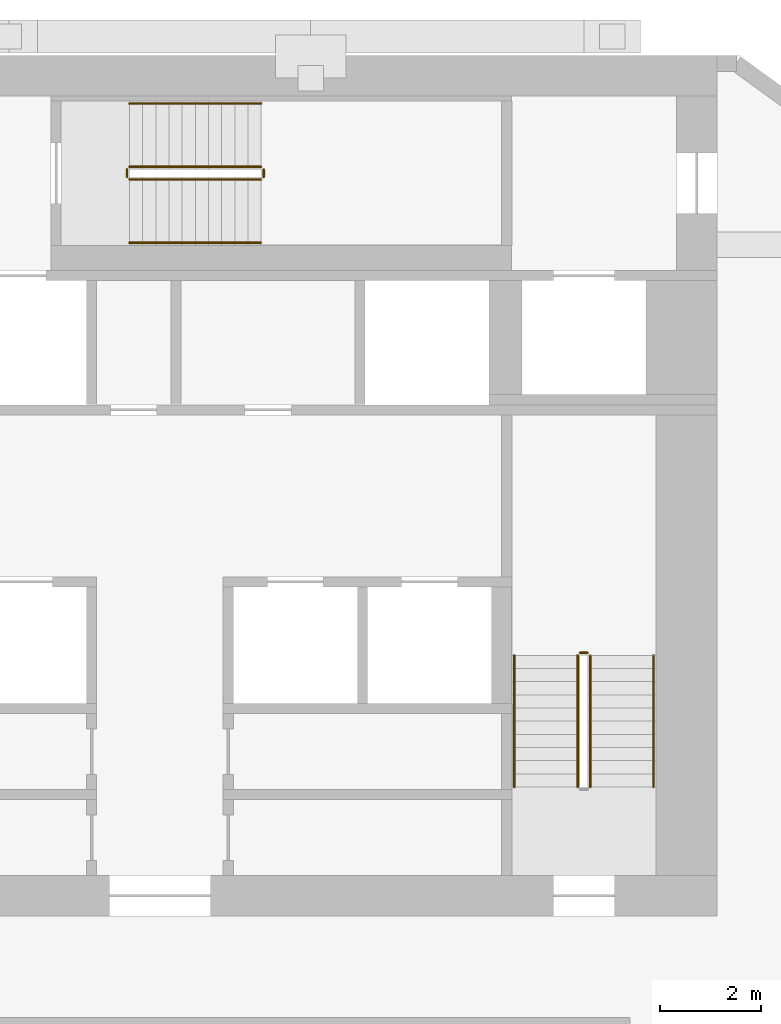
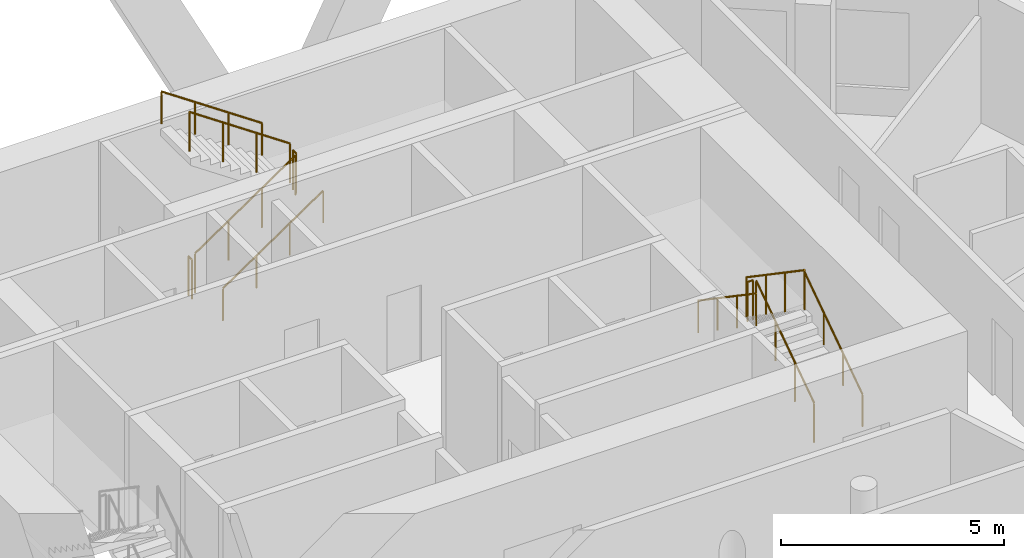
# One storey, part 10 of 10: 11 railings.
"""IFC4 building model written with IfcOpenShell, lengths in metres."""

from ifc_helpers import new_model, si_unit, direction, frame, origin, origin_2d, place, context, subcontext, project, spatial, circle, extrude, material, type_object, element, save


model = new_model("IFC4")

# Units and contexts
model_context = context("Model", 3, precision=1e-05, world=origin(), true_north=direction((0.0, 1.0)))
body_context = subcontext(model_context, "Body", "Model", "MODEL_VIEW")
ifc_project = project(units=[si_unit("LENGTHUNIT", "METRE"), si_unit("AREAUNIT", "SQUARE_METRE"), si_unit("VOLUMEUNIT", "CUBIC_METRE"), si_unit("PLANEANGLEUNIT", "RADIAN"), si_unit("MASSUNIT", "GRAM", prefix="KILO")], contexts=[model_context])

# Site, building, storey
site_placement = place(None, origin())
site = spatial("IfcSite", under=ifc_project, at=site_placement, CompositionType="ELEMENT")
building_placement = place(site_placement, origin())
building = spatial("IfcBuilding", under=site, at=building_placement, Name="White Candle Pilgrim Tower", CompositionType="ELEMENT")
storey_placement = place(building_placement, frame((0.0, 0.0, 208.199951171875)))
storey = spatial("IfcBuildingStorey", under=building, at=storey_placement, Name="L48", CompositionType="ELEMENT", Elevation=208.199951171875)

# Railings
ifc_material = material(Name="Stainless steel", Category="steel")
railing_type_1 = type_object("IfcRailingType", Name="Stair guard stainless steel 1100 mm", PredefinedType="GUARDRAIL", material=ifc_material)
railing_1_placement = place(storey_placement, frame((78.5, 73.550048828125, 0.17724609375)))
element("IfcRailing", 1, at=railing_1_placement, inside=storey, type_object=railing_type_1, Name="L48 ST2 stair guard 1", PredefinedType="GUARDRAIL", context=body_context, shape_type="SweptSolid", body=[
    extrude(circle(Radius=0.02392578125, at=origin_2d()), frame((0.0, 0.0, 1.076171875), z_axis=(0.0, 0.826215852431, 0.563353676824), x_axis=(-1.0, 0.0, 0.0)), (0.0, 0.0, 1.0), 3.146728515625),
    extrude(circle(Radius=0.02099609375, at=origin_2d()), origin(), (0.0, 0.0, 1.0), 1.052001953125),
    extrude(circle(Radius=0.02099609375, at=origin_2d()), frame((0.0, 0.86669921875, 0.5908203125)), (0.0, 0.0, 1.0), 1.052001953125),
    extrude(circle(Radius=0.02099609375, at=origin_2d()), frame((0.0, 1.733154296875, 1.181884765625)), (0.0, 0.0, 1.0), 1.052001953125),
    extrude(circle(Radius=0.02099609375, at=origin_2d()), frame((0.0, 2.599853515625, 1.772705078125)), (0.0, 0.0, 1.0), 1.052001953125),
])
railing_2_placement = place(storey_placement, frame((78.449951171875, 76.199951171875, 1.949951171875)))
element("IfcRailing", 2, at=railing_2_placement, inside=storey, type_object=railing_type_1, Name="L48 ST2 stair guard 2", PredefinedType="GUARDRAIL", context=body_context, shape_type="SweptSolid", body=[
    extrude(circle(Radius=0.02392578125, at=origin_2d()), frame((0.0, 0.0, 1.076171875), z_axis=(-1.0, 0.0, 0.0), x_axis=(0.0, -1.0, 0.0)), (0.0, 0.0, 1.0), 0.14990234375),
    extrude(circle(Radius=0.02099609375, at=origin_2d()), origin(), (0.0, 0.0, 1.0), 1.052001953125),
    extrude(circle(Radius=0.02099609375, at=origin_2d()), frame((-0.14990234375, 0.0, 0.0)), (0.0, 0.0, 1.0), 1.052001953125),
])
railing_3_placement = place(storey_placement, frame((78.25, 76.14990234375, 2.12744140625)))
element("IfcRailing", 3, at=railing_3_placement, inside=storey, type_object=railing_type_1, Name="L48 ST2 stair guard 3", PredefinedType="GUARDRAIL", context=body_context, shape_type="SweptSolid", body=[
    extrude(circle(Radius=0.02392578125, at=origin_2d()), frame((0.0, 0.0, 1.076171875), z_axis=(0.0, -0.826215852431, 0.563353676824), x_axis=(1.0, 0.0, 0.0)), (0.0, 0.0, 1.0), 3.146728515625),
    extrude(circle(Radius=0.02099609375, at=origin_2d()), origin(), (0.0, 0.0, 1.0), 1.052001953125),
    extrude(circle(Radius=0.02099609375, at=origin_2d()), frame((0.0, -0.86669921875, 0.5908203125)), (0.0, 0.0, 1.0), 1.052001953125),
    extrude(circle(Radius=0.02099609375, at=origin_2d()), frame((0.0, -1.733154296875, 1.181884765625)), (0.0, 0.0, 1.0), 1.052001953125),
    extrude(circle(Radius=0.02099609375, at=origin_2d()), frame((0.0, -2.599853515625, 1.772705078125)), (0.0, 0.0, 1.0), 1.052001953125),
])
railing_4_placement = place(storey_placement, frame((69.39990234375, 85.550048828125, 0.17724609375)))
element("IfcRailing", 4, at=railing_4_placement, inside=storey, type_object=railing_type_1, Name="L48 ST3 stair guard 1", PredefinedType="GUARDRAIL", context=body_context, shape_type="SweptSolid", body=[
    extrude(circle(Radius=0.02392578125, at=origin_2d()), frame((0.0, 0.0, 1.076171875), z_axis=(0.826240473404, 0.0, 0.563317565952), x_axis=(0.0, 1.0, 0.0)), (0.0, 0.0, 1.0), 3.14697265625),
    extrude(circle(Radius=0.02099609375, at=origin_2d()), origin(), (0.0, 0.0, 1.0), 1.052001953125),
    extrude(circle(Radius=0.02099609375, at=origin_2d()), frame((0.86669921875, 0.0, 0.5908203125)), (0.0, 0.0, 1.0), 1.052001953125),
    extrude(circle(Radius=0.02099609375, at=origin_2d()), frame((1.7333984375, 0.0, 1.181884765625)), (0.0, 0.0, 1.0), 1.052001953125),
    extrude(circle(Radius=0.02099609375, at=origin_2d()), frame((2.60009765625, 0.0, 1.772705078125)), (0.0, 0.0, 1.0), 1.052001953125),
])
railing_5_placement = place(storey_placement, frame((72.050048828125, 85.60009765625, 1.949951171875)))
element("IfcRailing", 5, at=railing_5_placement, inside=storey, type_object=railing_type_1, Name="L48 ST3 stair guard 2", PredefinedType="GUARDRAIL", context=body_context, shape_type="SweptSolid", body=[
    extrude(circle(Radius=0.02392578125, at=origin_2d()), frame((0.0, 0.0, 1.076171875), z_axis=(0.0, 1.0, 0.0), x_axis=(-1.0, 0.0, 0.0)), (0.0, 0.0, 1.0), 0.14990234375),
    extrude(circle(Radius=0.02099609375, at=origin_2d()), origin(), (0.0, 0.0, 1.0), 1.052001953125),
    extrude(circle(Radius=0.02099609375, at=origin_2d()), frame((0.0, 0.14990234375, 0.0)), (0.0, 0.0, 1.0), 1.052001953125),
])
railing_6_placement = place(storey_placement, frame((72.0, 85.800048828125, 2.12744140625)))
element("IfcRailing", 6, at=railing_6_placement, inside=storey, type_object=railing_type_1, Name="L48 ST3 stair guard 3", PredefinedType="GUARDRAIL", context=body_context, shape_type="SweptSolid", body=[
    extrude(circle(Radius=0.02392578125, at=origin_2d()), frame((0.0, 0.0, 1.076171875), z_axis=(-0.826240473404, 0.0, 0.563317565952), x_axis=(0.0, -1.0, 0.0)), (0.0, 0.0, 1.0), 3.14697265625),
    extrude(circle(Radius=0.02099609375, at=origin_2d()), origin(), (0.0, 0.0, 1.0), 1.052001953125),
    extrude(circle(Radius=0.02099609375, at=origin_2d()), frame((-0.86669921875, 0.0, 0.5908203125)), (0.0, 0.0, 1.0), 1.052001953125),
    extrude(circle(Radius=0.02099609375, at=origin_2d()), frame((-1.7333984375, 0.0, 1.181884765625)), (0.0, 0.0, 1.0), 1.052001953125),
    extrude(circle(Radius=0.02099609375, at=origin_2d()), frame((-2.60009765625, 0.0, 1.772705078125)), (0.0, 0.0, 1.0), 1.052001953125),
])
railing_7_placement = place(storey_placement, frame((69.35009765625, 85.60009765625, 0.0)))
element("IfcRailing", 7, at=railing_7_placement, inside=storey, type_object=railing_type_1, Name="L48 ST3 stair guard 4", PredefinedType="GUARDRAIL", context=body_context, shape_type="SweptSolid", body=[
    extrude(circle(Radius=0.02392578125, at=origin_2d()), frame((0.0, 0.0, 1.076171875), z_axis=(0.0, 1.0, 0.0), x_axis=(-1.0, 0.0, 0.0)), (0.0, 0.0, 1.0), 0.14990234375),
    extrude(circle(Radius=0.02099609375, at=origin_2d()), origin(), (0.0, 0.0, 1.0), 1.052001953125),
    extrude(circle(Radius=0.02099609375, at=origin_2d()), frame((0.0, 0.14990234375, 0.0)), (0.0, 0.0, 1.0), 1.052001953125),
])
railing_type_2 = type_object("IfcRailingType", Name="Stair handrail stainless steel", PredefinedType="HANDRAIL", material=ifc_material)
railing_8_placement = place(storey_placement, frame((79.75, 73.550048828125, 0.17724609375)))
element("IfcRailing", 8, at=railing_8_placement, inside=storey, type_object=railing_type_2, Name="L48 ST2 stair handrail 1", PredefinedType="HANDRAIL", context=body_context, shape_type="SweptSolid", body=[
    extrude(circle(Radius=0.02392578125, at=origin_2d()), frame((0.0, 0.0, 0.8759765625), z_axis=(0.0, 0.826215852431, 0.563353676824), x_axis=(-1.0, 0.0, 0.0)), (0.0, 0.0, 1.0), 3.146728515625),
    extrude(circle(Radius=0.02099609375, at=origin_2d()), origin(), (0.0, 0.0, 1.0), 0.851806640625),
    extrude(circle(Radius=0.02099609375, at=origin_2d()), frame((0.0, 0.86669921875, 0.5908203125)), (0.0, 0.0, 1.0), 0.851806640625),
    extrude(circle(Radius=0.02099609375, at=origin_2d()), frame((0.0, 1.733154296875, 1.181884765625)), (0.0, 0.0, 1.0), 0.851806640625),
    extrude(circle(Radius=0.02099609375, at=origin_2d()), frame((0.0, 2.599853515625, 1.772705078125)), (0.0, 0.0, 1.0), 0.851806640625),
])
railing_9_placement = place(storey_placement, frame((77.0, 76.14990234375, 2.12744140625)))
element("IfcRailing", 9, at=railing_9_placement, inside=storey, type_object=railing_type_2, Name="L48 ST2 stair handrail 2", PredefinedType="HANDRAIL", context=body_context, shape_type="SweptSolid", body=[
    extrude(circle(Radius=0.02392578125, at=origin_2d()), frame((0.0, 0.0, 0.8759765625), z_axis=(0.0, -0.826215852431, 0.563353676824), x_axis=(1.0, 0.0, 0.0)), (0.0, 0.0, 1.0), 3.146728515625),
    extrude(circle(Radius=0.02099609375, at=origin_2d()), origin(), (0.0, 0.0, 1.0), 0.851806640625),
    extrude(circle(Radius=0.02099609375, at=origin_2d()), frame((0.0, -0.86669921875, 0.5908203125)), (0.0, 0.0, 1.0), 0.851806640625),
    extrude(circle(Radius=0.02099609375, at=origin_2d()), frame((0.0, -1.733154296875, 1.181884765625)), (0.0, 0.0, 1.0), 0.851806640625),
    extrude(circle(Radius=0.02099609375, at=origin_2d()), frame((0.0, -2.599853515625, 1.772705078125)), (0.0, 0.0, 1.0), 0.851806640625),
])
railing_10_placement = place(storey_placement, frame((69.39990234375, 84.300048828125, 0.17724609375)))
element("IfcRailing", 10, at=railing_10_placement, inside=storey, type_object=railing_type_2, Name="L48 ST3 stair handrail 1", PredefinedType="HANDRAIL", context=body_context, shape_type="SweptSolid", body=[
    extrude(circle(Radius=0.02392578125, at=origin_2d()), frame((0.0, 0.0, 0.8759765625), z_axis=(0.826240473404, 0.0, 0.563317565952), x_axis=(0.0, 1.0, 0.0)), (0.0, 0.0, 1.0), 3.14697265625),
    extrude(circle(Radius=0.02099609375, at=origin_2d()), origin(), (0.0, 0.0, 1.0), 0.851806640625),
    extrude(circle(Radius=0.02099609375, at=origin_2d()), frame((0.86669921875, 0.0, 0.5908203125)), (0.0, 0.0, 1.0), 0.851806640625),
    extrude(circle(Radius=0.02099609375, at=origin_2d()), frame((1.7333984375, 0.0, 1.181884765625)), (0.0, 0.0, 1.0), 0.851806640625),
    extrude(circle(Radius=0.02099609375, at=origin_2d()), frame((2.60009765625, 0.0, 1.772705078125)), (0.0, 0.0, 1.0), 0.851806640625),
])
railing_11_placement = place(storey_placement, frame((72.0, 87.050048828125, 2.12744140625)))
element("IfcRailing", 11, at=railing_11_placement, inside=storey, type_object=railing_type_2, Name="L48 ST3 stair handrail 2", PredefinedType="HANDRAIL", context=body_context, shape_type="SweptSolid", body=[
    extrude(circle(Radius=0.02392578125, at=origin_2d()), frame((0.0, 0.0, 0.8759765625), z_axis=(-0.826240473404, 0.0, 0.563317565952), x_axis=(0.0, -1.0, 0.0)), (0.0, 0.0, 1.0), 3.14697265625),
    extrude(circle(Radius=0.02099609375, at=origin_2d()), origin(), (0.0, 0.0, 1.0), 0.851806640625),
    extrude(circle(Radius=0.02099609375, at=origin_2d()), frame((-0.86669921875, 0.0, 0.5908203125)), (0.0, 0.0, 1.0), 0.851806640625),
    extrude(circle(Radius=0.02099609375, at=origin_2d()), frame((-1.7333984375, 0.0, 1.181884765625)), (0.0, 0.0, 1.0), 0.851806640625),
    extrude(circle(Radius=0.02099609375, at=origin_2d()), frame((-2.60009765625, 0.0, 1.772705078125)), (0.0, 0.0, 1.0), 0.851806640625),
])

save(model, "model.ifc")
